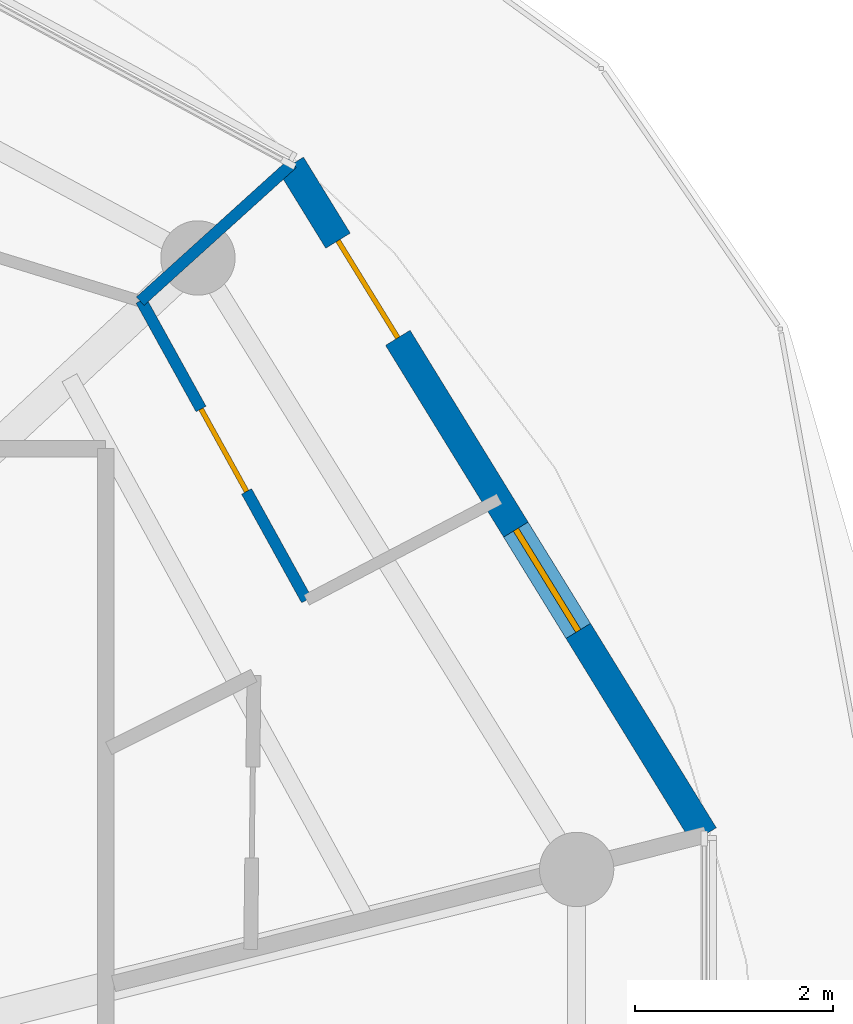
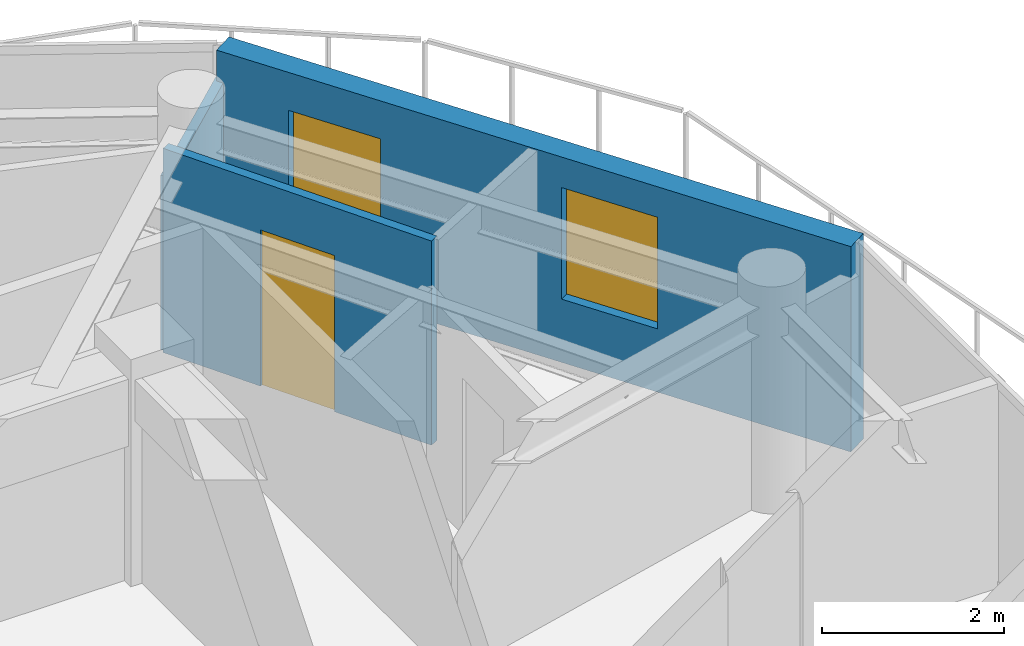
# One storey, part 19 of 24: 3 walls, 2 doors, 1 window, 3 openings.
"""IFC4 building model written with IfcOpenShell, lengths in metres."""

import ifcopenshell
import ifcopenshell.guid

model = None  # the IFC model being written
_history = None  # IfcOwnerHistory: only IFC2X3 demands one
_inside = {}  # id of a spatial element -> (the spatial element, [elements in it])
_under = {}  # id of a project, library or spatial element -> (it, [spatial elements below it])
_declared = {}  # id of a project -> (the project, [libraries it declares])
_typed = {}  # id of a type object -> (the type object, [elements of that type])
_made_of = {}  # id of a material, layer set ... -> (it, [elements and type objects made of it])


def new_model(schema):
    """Start an empty IFC model of exactly this schema.

    Asked for "IFC4X3", IfcOpenShell would pick the latest addendum, in which some entities
    have other attributes; the version numbers below select the first issue.
    IFC2X3 requires an IfcOwnerHistory on every rooted entity: one is made here for all.
    """
    global model, _history
    if schema == "IFC4X3":
        model = ifcopenshell.file(schema_version=(4, 3, 0, 0))
    else:
        model = ifcopenshell.file(schema=schema)
    _inside.clear()
    _under.clear()
    _declared.clear()
    _typed.clear()
    _made_of.clear()
    _history = None
    if model.schema == "IFC2X3":
        org = make("IfcOrganization", Name="unknown")
        user = make(
            "IfcPersonAndOrganization",
            ThePerson=make("IfcPerson", FamilyName="unknown"),
            TheOrganization=org,
        )
        app = make(
            "IfcApplication",
            ApplicationDeveloper=org,
            Version="unknown",
            ApplicationFullName="unknown",
            ApplicationIdentifier="unknown",
        )
        _history = make(
            "IfcOwnerHistory",
            OwningUser=user,
            OwningApplication=app,
            ChangeAction="ADDED",
            CreationDate=0,
        )
    return model


def make(cls, **values):
    """One entity of the class cls with the attributes given. An attribute that is None is left unset."""
    return model.create_entity(
        cls, **{name: value for name, value in values.items() if value is not None}
    )


def rooted(cls, **values):
    """An entity with a GlobalId (a new one), such as an element, a storey or a relation."""
    return make(cls, GlobalId=ifcopenshell.guid.new(), OwnerHistory=_history, **values)


def si_unit(unit_type, name, prefix=None):
    """IfcSIUnit, for example si_unit("LENGTHUNIT", "METRE", prefix="MILLI")."""
    return make("IfcSIUnit", UnitType=unit_type, Prefix=prefix, Name=name)


def assignment(units):
    """IfcUnitAssignment: the units of a project."""
    return None if units is None else make("IfcUnitAssignment", Units=units)


def point(xyz):
    """IfcCartesianPoint."""
    return None if xyz is None else make("IfcCartesianPoint", Coordinates=xyz)


def direction(xyz):
    """IfcDirection."""
    return None if xyz is None else make("IfcDirection", DirectionRatios=xyz)


def frame(location, z_axis=None, x_axis=None):
    """IfcAxis2Placement3D, a coordinate frame: its origin and axes. An axis left out is left unset."""
    return make(
        "IfcAxis2Placement3D",
        Location=point(location),
        Axis=direction(z_axis),
        RefDirection=direction(x_axis),
    )


def frame_2d(location, x_axis=None):
    """IfcAxis2Placement2D, a coordinate frame in the plane: its origin and x axis."""
    return make(
        "IfcAxis2Placement2D", Location=point(location), RefDirection=direction(x_axis)
    )


def origin():
    """The frame at (0, 0, 0) with its axes left unset."""
    return frame((0.0, 0.0, 0.0))


def place(relative_to, where):
    """IfcLocalPlacement: puts the frame where relative to a parent placement (None: the world)."""
    return make(
        "IfcLocalPlacement", PlacementRelTo=relative_to, RelativePlacement=where
    )


def context(
    kind, dimensions, precision=None, world=None, true_north=None, identifier=None
):
    """IfcGeometricRepresentationContext, for example the 3D "Model" context."""
    return make(
        "IfcGeometricRepresentationContext",
        ContextIdentifier=identifier,
        ContextType=kind,
        CoordinateSpaceDimension=dimensions,
        Precision=precision,
        WorldCoordinateSystem=world,
        TrueNorth=true_north,
    )


def subcontext(parent, identifier, kind, view, scale=None):
    """IfcGeometricRepresentationSubContext, for example "Body" below "Model"."""
    return make(
        "IfcGeometricRepresentationSubContext",
        ContextIdentifier=identifier,
        ContextType=kind,
        ParentContext=parent,
        TargetScale=scale,
        TargetView=view,
    )


def project(units=None, contexts=None):
    """IfcProject with its units and contexts."""
    return rooted(
        "IfcProject",
        Name="project",
        RepresentationContexts=contexts,
        UnitsInContext=assignment(units),
    )


def spatial(cls, under=None, at=None, **own):
    """A site, building, storey or space (cls), placed at a placement, below another one or the project."""
    s = rooted(cls, ObjectPlacement=at, **own)
    if under is not None:
        _under.setdefault(under.id(), (under, []))[1].append(s)
    return s


def profile(cls, at=None, kind="AREA", **sizes):
    """A parametric profile (cls). Its sizes go by their IFC names, for example OverallWidth=200.0."""
    return make(cls, ProfileType=kind, Position=at, **sizes)


def rectangle(**sizes):
    """IfcRectangleProfileDef."""
    return profile("IfcRectangleProfileDef", **sizes)


def extrude(swept, where, along, depth):
    """IfcExtrudedAreaSolid: the profile swept, set in the frame where, extruded along a direction by depth."""
    return make(
        "IfcExtrudedAreaSolid",
        SweptArea=swept,
        Position=where,
        ExtrudedDirection=direction(along),
        Depth=depth,
    )


def shape(context_of_items, identifier, shape_type, items):
    """IfcShapeRepresentation: the items that make up one representation, for example the "Body"."""
    return make(
        "IfcShapeRepresentation",
        ContextOfItems=context_of_items,
        RepresentationIdentifier=identifier,
        RepresentationType=shape_type,
        Items=items,
    )


def source(mapping_origin, context_of_items, identifier, shape_type, items):
    """IfcRepresentationMap: a shape defined once, which mapped items show again and again."""
    return make(
        "IfcRepresentationMap",
        MappingOrigin=mapping_origin,
        MappedRepresentation=shape(context_of_items, identifier, shape_type, items),
    )


def transform(
    local_origin,
    x_axis=None,
    y_axis=None,
    z_axis=None,
    scale=None,
    scale2=None,
    scale3=None,
    uniform=True,
):
    """IfcCartesianTransformationOperator3D, or its non-uniform kind. x_axis, y_axis, z_axis: its Axis1, 2, 3."""
    if uniform:
        return make(
            "IfcCartesianTransformationOperator3D",
            Axis1=direction(x_axis),
            Axis2=direction(y_axis),
            LocalOrigin=point(local_origin),
            Scale=scale,
            Axis3=direction(z_axis),
        )
    return make(
        "IfcCartesianTransformationOperator3DnonUniform",
        Axis1=direction(x_axis),
        Axis2=direction(y_axis),
        LocalOrigin=point(local_origin),
        Scale=scale,
        Axis3=direction(z_axis),
        Scale2=scale2,
        Scale3=scale3,
    )


def mapped(mapping_source, mapping_target):
    """IfcMappedItem: shows the shape of a source again, moved by a transform."""
    return make(
        "IfcMappedItem", MappingSource=mapping_source, MappingTarget=mapping_target
    )


def material(Name=None, Category=None):
    """IfcMaterial."""
    return make("IfcMaterial", Name=Name, Category=Category)


def layer(
    of_material, thickness, ventilated=None, Name=None, Category=None, Priority=None
):
    """IfcMaterialLayer: one layer of a wall or slab, of a material (None: an air gap)."""
    return make(
        "IfcMaterialLayer",
        Material=of_material,
        LayerThickness=thickness,
        IsVentilated=ventilated,
        Name=Name,
        Category=Category,
        Priority=Priority,
    )


def layer_set(layers, Name=None):
    """IfcMaterialLayerSet."""
    return make("IfcMaterialLayerSet", MaterialLayers=layers, LayerSetName=Name)


def made_of(thing, what):
    """Note that an element or type object is made of a material, layer set ...; save() writes the relation."""
    if what is not None:
        _made_of.setdefault(what.id(), (what, []))[1].append(thing)
    return thing


def type_object(cls, material=None, **own):
    """A type object (cls), such as IfcWallType, which elements share."""
    return made_of(rooted(cls, **own), material)


def type_shapes(of_type, sources):
    """Give a type object the sources (RepresentationMaps) that its elements show as mapped items."""
    of_type.RepresentationMaps = sources


def element(
    cls,
    number,
    at=None,
    inside=None,
    cuts=None,
    type_object=None,
    material=None,
    context=None,
    identifier="Body",
    shape_type=None,
    held_by="IfcProductDefinitionShape",
    body=None,
    shapes=None,
    **own,
):
    """One element of the class cls, such as IfcWall. Its Tag is "e" and its number.

    at: its placement. inside: the storey or other place that contains it. cuts: it is an
    opening in that element (IfcRelVoidsElement). A single representation is given by context,
    identifier, shape_type and body (its items); several are given by shapes. held_by: the class
    of the entity that holds the representations. save() writes the other relations.
    """
    e = rooted(cls, Tag="e%d" % number, ObjectPlacement=at, **own)
    if body is not None:
        shapes = [shape(context, identifier, shape_type, body)]
    if shapes is not None:
        e.Representation = make(held_by, Representations=shapes)
    if inside is not None:
        _inside.setdefault(inside.id(), (inside, []))[1].append(e)
    if cuts is not None:
        rooted(
            "IfcRelVoidsElement", RelatingBuildingElement=cuts, RelatedOpeningElement=e
        )
    if type_object is not None:
        _typed.setdefault(type_object.id(), (type_object, []))[1].append(e)
    return made_of(e, material)


def fill(opening, filler):
    """IfcRelFillsElement: the door or window that sits in an opening."""
    return rooted(
        "IfcRelFillsElement",
        RelatingOpeningElement=opening,
        RelatedBuildingElement=filler,
    )


def aggregate(whole, parts):
    """IfcRelAggregates: a whole, such as a stair, and the parts it consists of."""
    return rooted("IfcRelAggregates", RelatingObject=whole, RelatedObjects=parts)


def save(model, path):
    """Write the relations noted so far, then the file.

    IfcRelAggregates (storeys below a building ...), IfcRelContainedInSpatialStructure (elements
    in a storey), IfcRelDefinesByType, IfcRelAssociatesMaterial and IfcRelDeclares: one each for
    every whole, place, type object, material and project.
    """
    for whole, parts in _under.values():
        aggregate(whole, parts)
    for where, things in _inside.values():
        rooted(
            "IfcRelContainedInSpatialStructure",
            RelatedElements=things,
            RelatingStructure=where,
        )
    for kind, things in _typed.values():
        rooted("IfcRelDefinesByType", RelatedObjects=things, RelatingType=kind)
    for what, things in _made_of.values():
        rooted("IfcRelAssociatesMaterial", RelatedObjects=things, RelatingMaterial=what)
    for by, libraries in _declared.values():
        rooted("IfcRelDeclares", RelatingContext=by, RelatedDefinitions=libraries)
    model.write(path)


model = new_model("IFC4")

# Units and contexts
model_context = context("Model", 3, precision=1e-05, world=origin(), true_north=direction((0.0, 1.0)))
body_context = subcontext(model_context, "Body", "Model", "MODEL_VIEW")
ifc_project = project(units=[si_unit("LENGTHUNIT", "METRE"), si_unit("AREAUNIT", "SQUARE_METRE"), si_unit("VOLUMEUNIT", "CUBIC_METRE"), si_unit("PLANEANGLEUNIT", "RADIAN"), si_unit("MASSUNIT", "GRAM", prefix="KILO")], contexts=[model_context])

# Site, building, storey
site_placement = place(None, origin())
site = spatial("IfcSite", under=ifc_project, at=site_placement, CompositionType="ELEMENT")
building_placement = place(site_placement, origin())
building = spatial("IfcBuilding", under=site, at=building_placement, Name="Norrkilde Senior Care Towers", CompositionType="ELEMENT")
storey_placement = place(building_placement, frame((0.0, 0.0, 223.050048828125)))
storey = spatial("IfcBuildingStorey", under=building, at=storey_placement, Name="L69", CompositionType="ELEMENT", Elevation=223.050048828125)

# Wall, openings, door, window
ifc_material_1 = material(Name="Precast concrete C45/55", Category="concrete")
ifc_layer_1 = layer(ifc_material_1, 0.2900390625)
ifc_layer_set_1 = layer_set([ifc_layer_1], Name="Precast concrete C45/55")
wall_type_1 = type_object("IfcWallType", Name="Winter Garden Facade Wall 290", PredefinedType="SOLIDWALL", material=ifc_layer_set_1)
shared_shape_1 = source(origin(), body_context, "Body", "SweptSolid", [
    extrude(rectangle(XDim=7.938232421875, YDim=0.2900390625, at=frame_2d((3.96923828125, 0.0))), origin(), (0.0, 0.0, 1.0), 2.760009765625),
])
type_shapes(wall_type_1, [shared_shape_1])
wall_1_placement = place(storey_placement, frame((39.370361328125, 10.6630859375, 0.0), z_axis=(0.0, 0.0, 1.0), x_axis=(0.524244987663, -0.851567491694, 0.0)))
wall_1 = element("IfcWall", 1, at=wall_1_placement, inside=storey, type_object=wall_type_1, Name="L69 Drum E Balcony Access Wall 00", PredefinedType="SOLIDWALL", context=body_context, shape_type="MappedRepresentation", body=[
    mapped(shared_shape_1, transform((0.0, 0.0, 0.0), x_axis=(1.0, 0.0, 0.0), y_axis=(0.0, 1.0, 0.0), z_axis=(0.0, 0.0, 1.0), scale=1.0)),
])
opening_1_placement = place(wall_1_placement, frame((0.89990234375, 0.0, 0.0)))
opening_1 = element("IfcOpeningElement", 2, at=opening_1_placement, cuts=wall_1, Name="Opening D-09", PredefinedType="OPENING", context=body_context, shape_type="SweptSolid", body=[
    extrude(rectangle(XDim=1.14990234375, YDim=2.25, at=frame_2d((0.574951171875, 1.125))), frame((0.0, 0.155029296875, 0.0), z_axis=(0.0, -1.0, 0.0), x_axis=(1.0, 0.0, 0.0)), (0.0, 0.0, 1.0), 0.31005859375),
])
opening_2_placement = place(wall_1_placement, frame((4.3193359375, 0.0, 0.85009765625)))
opening_2 = element("IfcOpeningElement", 3, at=opening_2_placement, cuts=wall_1, Name="Opening WN-07", PredefinedType="OPENING", context=body_context, shape_type="SweptSolid", body=[
    extrude(rectangle(XDim=1.199951171875, YDim=1.5, at=frame_2d((0.60009765625, 0.75))), frame((0.0, 0.155029296875, 0.0), z_axis=(0.0, -1.0, 0.0), x_axis=(1.0, 0.0, 0.0)), (0.0, 0.0, 1.0), 0.31005859375),
])
ifc_material_2 = material(Name="Anodised Aluminium", Category="aluminium")
door_type_1 = type_object("IfcDoorType", Name="Terrace and Balcony Glazed Door 1150x2250", OperationType="NOTDEFINED", PredefinedType="DOOR", material=ifc_material_2)
shared_shape_2 = source(origin(), body_context, "Body", "SweptSolid", [
    extrude(rectangle(XDim=1.14990234375, YDim=2.25, at=frame_2d((0.574951171875, 1.125))), frame((0.0, 0.02490234375, 0.0), z_axis=(0.0, -1.0, 0.0), x_axis=(1.0, 0.0, 0.0)), (0.0, 0.0, 1.0), 0.050048828125),
])
type_shapes(door_type_1, [shared_shape_2])
door_1_placement = place(opening_1_placement, origin())
door_1 = element("IfcDoor", 4, at=door_1_placement, inside=storey, type_object=door_type_1, Name="L69 Drum E Outdoor Terrace Door 00", OperationType="SINGLE_SWING_LEFT", OverallHeight=2.25, OverallWidth=1.14990234375, PredefinedType="DOOR", context=body_context, shape_type="MappedRepresentation", body=[
    mapped(shared_shape_2, transform((0.0, 0.0, 0.0), x_axis=(1.0, 0.0, 0.0), y_axis=(0.0, 1.0, 0.0), z_axis=(0.0, 0.0, 1.0), scale=1.0)),
])
fill(opening_1, door_1)
ifc_material_3 = material(Name="Triple Low-E Insulated Glazing", Category="glass")
window_type = type_object("IfcWindowType", Name="Stairwell Smoke Vent Window 1200x1500", PartitioningType="SINGLE_PANEL", PredefinedType="WINDOW", material=ifc_material_3)
shared_shape_3 = source(origin(), body_context, "Body", "SweptSolid", [
    extrude(rectangle(XDim=1.199951171875, YDim=1.5, at=frame_2d((0.60009765625, 0.75))), frame((0.0, 0.030029296875, 0.0), z_axis=(0.0, -1.0, 0.0), x_axis=(1.0, 0.0, 0.0)), (0.0, 0.0, 1.0), 0.06005859375),
])
type_shapes(window_type, [shared_shape_3])
window_placement = place(opening_2_placement, origin())
window = element("IfcWindow", 5, at=window_placement, inside=storey, type_object=window_type, Name="L69 Drum E Winter Garden Window 00", OverallHeight=1.5, OverallWidth=1.199951171875, PartitioningType="SINGLE_PANEL", PredefinedType="WINDOW", context=body_context, shape_type="MappedRepresentation", body=[
    mapped(shared_shape_3, transform((0.0, 0.0, 0.0), x_axis=(1.0, 0.0, 0.0), y_axis=(0.0, 1.0, 0.0), z_axis=(0.0, 0.0, 1.0), scale=1.0)),
])
fill(opening_2, window)

# Wall
ifc_material_4 = material(Name="Gypsum Acoustic Board")
ifc_layer_2 = layer(ifc_material_4, 0.114990234375)
ifc_layer_set_2 = layer_set([ifc_layer_2], Name="Gypsum Acoustic Board")
wall_type_2 = type_object("IfcWallType", Name="Internal Room Partition 115", PredefinedType="PARTITIONING", material=ifc_layer_set_2)
shared_shape_4 = source(origin(), body_context, "Body", "SweptSolid", [
    extrude(rectangle(XDim=2.071533203125, YDim=0.114990234375, at=frame_2d((1.03564453125, 0.0))), origin(), (0.0, 0.0, 1.0), 2.344970703125),
])
wall_2_placement = place(storey_placement, frame((37.8486328125, 9.287109375, 0.0), z_axis=(0.0, 0.0, 1.0), x_axis=(0.741410125356, 0.671052178314, 0.0)))
element("IfcWall", 6, at=wall_2_placement, inside=storey, type_object=wall_type_2, Name="WL-INT-L69-E-UBR-00-1", PredefinedType="PARTITIONING", context=body_context, shape_type="MappedRepresentation", body=[
    mapped(shared_shape_4, transform((0.0, 0.0, 0.0), x_axis=(1.0, 0.0, 0.0), y_axis=(0.0, 1.0, 0.0), z_axis=(0.0, 0.0, 1.0), scale=1.0)),
])

# Wall, opening, door
shared_shape_5 = source(origin(), body_context, "Body", "SweptSolid", [
    extrude(rectangle(XDim=3.4501953125, YDim=0.114990234375, at=frame_2d((1.72509765625, 0.0))), origin(), (0.0, 0.0, 1.0), 2.744873046875),
])
type_shapes(wall_type_2, [shared_shape_4, shared_shape_5])
wall_3_placement = place(storey_placement, frame((39.525390625, 6.27490234375, 0.0), z_axis=(0.0, 0.0, 1.0), x_axis=(-0.483659007882, 0.875256513312, 0.0)))
wall_3 = element("IfcWall", 7, at=wall_3_placement, inside=storey, type_object=wall_type_2, Name="WL-INT-L69-E-UKTF-00", PredefinedType="PARTITIONING", context=body_context, shape_type="MappedRepresentation", body=[
    mapped(shared_shape_5, transform((0.0, 0.0, 0.0), x_axis=(1.0, 0.0, 0.0), y_axis=(0.0, 1.0, 0.0), z_axis=(0.0, 0.0, 1.0), scale=1.0)),
])
opening_3_placement = place(wall_3_placement, frame((1.25, 0.0, 0.0)))
opening_3 = element("IfcOpeningElement", 8, at=opening_3_placement, cuts=wall_3, Name="Opening D-07", PredefinedType="OPENING", context=body_context, shape_type="SweptSolid", body=[
    extrude(rectangle(XDim=0.949951171875, YDim=2.10009765625, at=frame_2d((0.47509765625, 1.050048828125))), frame((0.0, 0.0673828125, 0.0), z_axis=(0.0, -1.0, 0.0), x_axis=(1.0, 0.0, 0.0)), (0.0, 0.0, 1.0), 0.135009765625),
])
ifc_material_5 = material(Name="Nordic Ash Timber", Category="wood")
door_type_2 = type_object("IfcDoorType", Name="Internal Suite Bedroom Door 950x2100", OperationType="NOTDEFINED", PredefinedType="DOOR", material=ifc_material_5)
shared_shape_6 = source(origin(), body_context, "Body", "SweptSolid", [
    extrude(rectangle(XDim=0.949951171875, YDim=2.10009765625, at=frame_2d((0.47509765625, 1.050048828125))), frame((0.0, 0.02490234375, 0.0), z_axis=(0.0, -1.0, 0.0), x_axis=(1.0, 0.0, 0.0)), (0.0, 0.0, 1.0), 0.050048828125),
])
type_shapes(door_type_2, [shared_shape_6])
door_2_placement = place(opening_3_placement, frame((0.949951171875, 0.0, 0.0), z_axis=(0.0, 0.0, 1.0), x_axis=(-1.0, 0.0, 0.0)))
door_2 = element("IfcDoor", 9, at=door_2_placement, inside=storey, type_object=door_type_2, Name="Apartment 69A Kitchen Door", OperationType="SINGLE_SWING_LEFT", OverallHeight=2.10009765625, OverallWidth=0.949951171875, PredefinedType="DOOR", context=body_context, shape_type="MappedRepresentation", body=[
    mapped(shared_shape_6, transform((0.0, 0.0, 0.0), x_axis=(1.0, 0.0, 0.0), y_axis=(0.0, 1.0, 0.0), z_axis=(0.0, 0.0, 1.0), scale=1.0)),
])
fill(opening_3, door_2)

save(model, "model.ifc")
